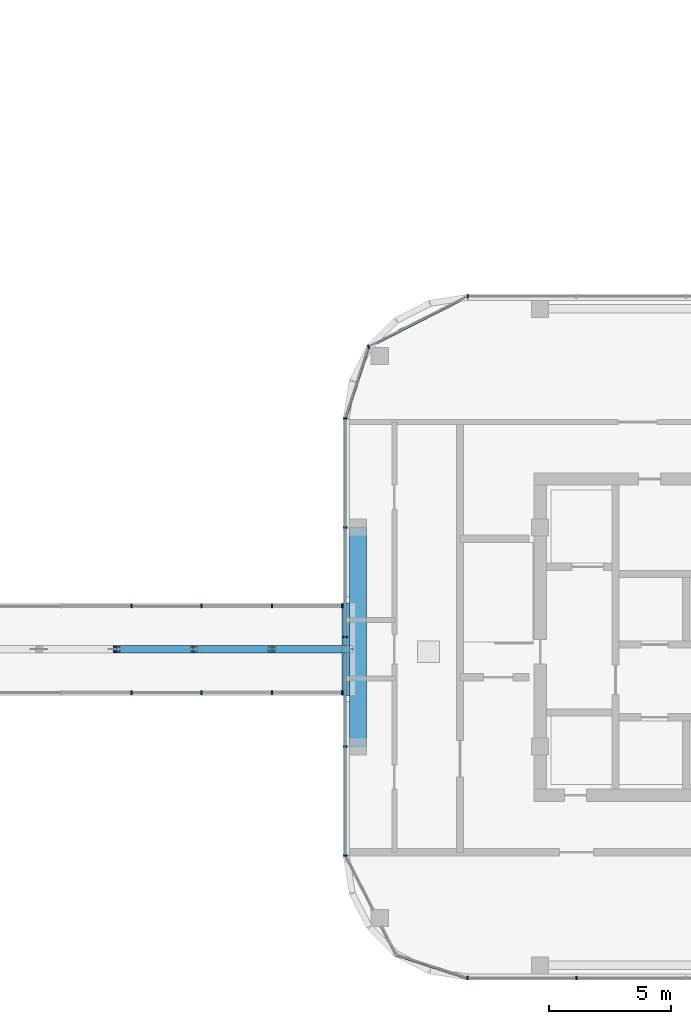
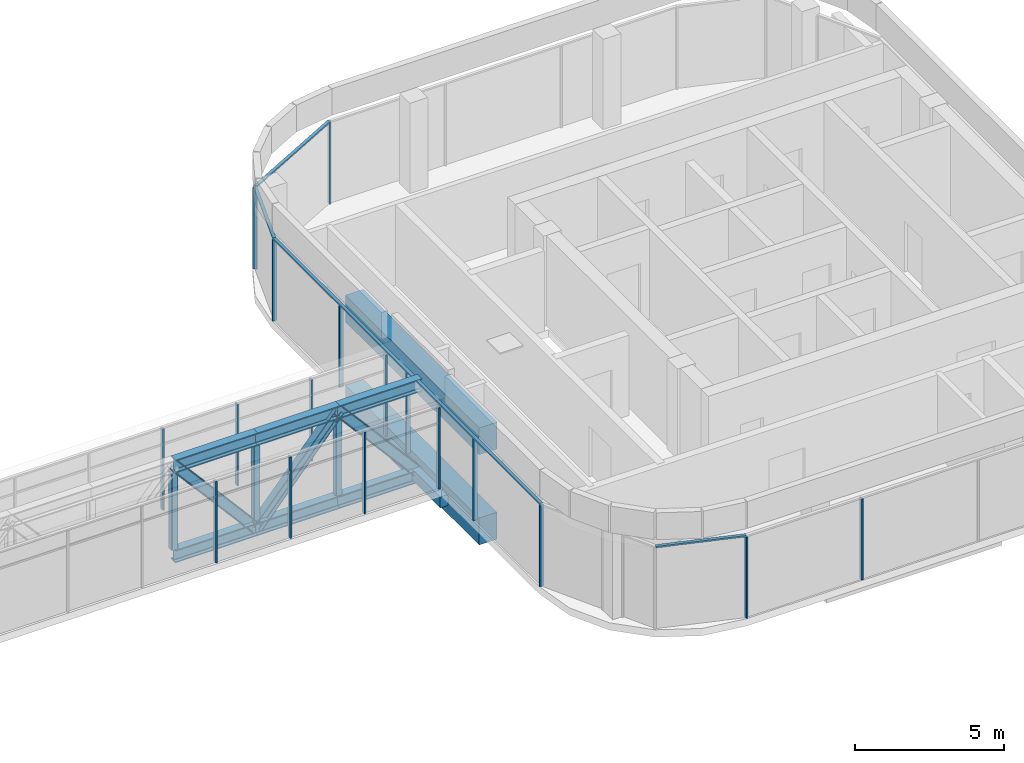
# One storey, part 8 of 33: 33 members, 3 beams, 7 elements without a shape of their own.
"""IFC4 building model written with IfcOpenShell, lengths in metres."""

from ifc_helpers import new_model, si_unit, direction, frame, origin, origin_2d, place, context, subcontext, project, spatial, rectangle, hollow_rectangle, i_section, extrude, material, material_profile, profile_set, type_object, element, aggregate, save


model = new_model("IFC4")

# Units and contexts
model_context = context("Model", 3, precision=1e-05, world=origin(), true_north=direction((0.0, 1.0)))
body_context = subcontext(model_context, "Body", "Model", "MODEL_VIEW")
ifc_project = project(units=[si_unit("LENGTHUNIT", "METRE"), si_unit("AREAUNIT", "SQUARE_METRE"), si_unit("VOLUMEUNIT", "CUBIC_METRE"), si_unit("PLANEANGLEUNIT", "RADIAN"), si_unit("MASSUNIT", "GRAM", prefix="KILO")], contexts=[model_context])

# Site, building, storey
site_placement = place(None, origin())
site = spatial("IfcSite", under=ifc_project, at=site_placement, CompositionType="ELEMENT")
building_placement = place(site_placement, origin())
building = spatial("IfcBuilding", under=site, at=building_placement, Name="Ogive Portal Towers", CompositionType="ELEMENT")
storey_placement = place(building_placement, frame((0.0, 0.0, 101.89990234375)))
storey = spatial("IfcBuildingStorey", under=building, at=storey_placement, Name="L24", CompositionType="ELEMENT", Elevation=101.89990234375)

# Members
ifc_material_1 = material(Name="Steel S355", Category="steel")
ifc_material_profile_1 = material_profile(ifc_material_1, i_section(OverallWidth=0.300048828125, OverallDepth=0.39990234375, WebThickness=0.013427734375, FlangeThickness=0.02392578125, FilletRadius=0.027099609375, at=origin_2d()), Name="HEB 400")
ifc_profile_set_1 = profile_set([ifc_material_profile_1], Name="Steel S355")
member_type_1 = type_object("IfcMemberType", Name="BRACE HEB 400", PredefinedType="BRACE", material=ifc_profile_set_1)
for number, where, z_axis, x_axis, name in (
    (1, (111.578125, 30.5, 3.13818359375), (0.653039451315, 0.0, -0.757323890437), (0.0, 1.0, 0.0), "Glass corridor truss diagonal"),
    (2, (114.768798828125, 30.5, -0.56201171875), (0.653039451315, 0.0, 0.757323890437), (0.0, 1.0, 0.0), "Glass corridor truss diagonal"),
):
    element("IfcMember", number, at=place(storey_placement, frame(where, z_axis=z_axis, x_axis=x_axis)), inside=storey, type_object=member_type_1, Name=name, PredefinedType="BRACE", context=body_context, shape_type="SweptSolid", body=[
        extrude(i_section(OverallWidth=0.300048828125, OverallDepth=0.39990234375, WebThickness=0.013427734375, FlangeThickness=0.02392578125, FilletRadius=0.027099609375, at=origin_2d()), origin(), (0.0, 0.0, 1.0), 4.885986328125),
    ])
member_1_placement = place(storey_placement, frame((117.95947265625, 30.5, 3.13818359375), z_axis=(0.653010790955, 0.0, -0.757348603284), x_axis=(0.0, 1.0, 0.0)))
element("IfcMember", 3, at=member_1_placement, inside=storey, type_object=member_type_1, Name="Glass corridor truss diagonal", PredefinedType="BRACE", context=body_context, shape_type="SweptSolid", body=[
    extrude(i_section(OverallWidth=0.300048828125, OverallDepth=0.39990234375, WebThickness=0.013427734375, FlangeThickness=0.02392578125, FilletRadius=0.027099609375, at=origin_2d()), origin(), (0.0, 0.0, 1.0), 4.8857421875),
])

# Beam
ifc_material_2 = material(Name="Concrete C40/50", Category="concrete")
ifc_material_profile_2 = material_profile(ifc_material_2, rectangle(XDim=0.300048828125, YDim=0.449951171875, at=origin_2d()), Name="RC 300x450")
ifc_profile_set_2 = profile_set([ifc_material_profile_2], Name="Concrete C40/50")
beam_type_1 = type_object("IfcBeamType", Name="BRIDGE END BEAM RC 300x450", PredefinedType="BEAM", material=ifc_profile_set_2)
beam_placement = place(storey_placement, frame((121.0, 28.60009765625, -0.52490234375), z_axis=(0.0, 1.0, 0.0), x_axis=(-1.0, 0.0, 0.0)))
element("IfcBeam", 4, at=beam_placement, inside=storey, type_object=beam_type_1, Name="Glass corridor end beam", PredefinedType="BEAM", context=body_context, shape_type="SweptSolid", body=[
    extrude(rectangle(XDim=0.300048828125, YDim=0.449951171875, at=origin_2d()), origin(), (0.0, 0.0, 1.0), 3.7998046875),
])

# Members
ifc_material_profile_3 = material_profile(ifc_material_1, i_section(OverallWidth=0.305908203125, OverallDepth=0.52392578125, WebThickness=0.02099609375, FlangeThickness=0.0400390625, FilletRadius=0.027099609375, at=origin_2d()), Name="HEM 500")
ifc_profile_set_3 = profile_set([ifc_material_profile_3], Name="Steel S355")
member_type_2 = type_object("IfcMemberType", Name="CHORD HEM 500", PredefinedType="CHORD", material=ifc_profile_set_3)
for number, where, z_axis, x_axis, name in (
    (5, (111.578125, 30.5, -0.56201171875), (1.0, 0.0, 0.0), (0.0, 1.0, 0.0), "Glass corridor truss bottom chord"),
    (6, (111.578125, 30.5, 3.13818359375), (1.0, 0.0, 0.0), (0.0, 1.0, 0.0), "Glass corridor truss top chord"),
    (7, (114.768798828125, 30.5, -0.56201171875), (1.0, 0.0, 0.0), (0.0, 1.0, 0.0), "Glass corridor truss bottom chord"),
    (8, (114.768798828125, 30.5, 3.13818359375), (1.0, 0.0, 0.0), (0.0, 1.0, 0.0), "Glass corridor truss top chord"),
):
    element("IfcMember", number, at=place(storey_placement, frame(where, z_axis=z_axis, x_axis=x_axis)), inside=storey, type_object=member_type_2, Name=name, PredefinedType="CHORD", context=body_context, shape_type="SweptSolid", body=[
        extrude(i_section(OverallWidth=0.305908203125, OverallDepth=0.52392578125, WebThickness=0.02099609375, FlangeThickness=0.0400390625, FilletRadius=0.027099609375, at=origin_2d()), origin(), (0.0, 0.0, 1.0), 3.190673828125),
    ])
for number, where, z_axis, x_axis, name in (
    (9, (117.95947265625, 30.5, -0.56201171875), (1.0, 0.0, 0.0), (0.0, 1.0, 0.0), "Glass corridor truss bottom chord"),
    (10, (117.95947265625, 30.5, 3.13818359375), (1.0, 0.0, 0.0), (0.0, 1.0, 0.0), "Glass corridor truss top chord"),
):
    element("IfcMember", number, at=place(storey_placement, frame(where, z_axis=z_axis, x_axis=x_axis)), inside=storey, type_object=member_type_2, Name=name, PredefinedType="CHORD", context=body_context, shape_type="SweptSolid", body=[
        extrude(i_section(OverallWidth=0.305908203125, OverallDepth=0.52392578125, WebThickness=0.02099609375, FlangeThickness=0.0400390625, FilletRadius=0.027099609375, at=origin_2d()), origin(), (0.0, 0.0, 1.0), 3.1904296875),
    ])

# Curtain wall, members
ifc_material_3 = material(Name="Glass, clear low-iron insulated glazing", Category="glass")
curtain_wall_type_1 = type_object("IfcCurtainWallType", Name="CW RESIDENCES RIBBON", PredefinedType="NOTDEFINED", material=ifc_material_3)
curtain_wall_1_placement = place(storey_placement, origin())
curtain_wall_1 = element("IfcCurtainWall", 11, at=curtain_wall_1_placement, inside=storey, type_object=curtain_wall_type_1, Name="B:L24:f02:cw0", PredefinedType="NOTDEFINED")
ifc_material_4 = material(Name="Aluminium 6063 anodised", Category="aluminium")
ifc_material_profile_4 = material_profile(ifc_material_4, rectangle(XDim=0.159912109375, YDim=0.06005859375, at=origin_2d()), Name="AL 60x160")
ifc_profile_set_4 = profile_set([ifc_material_profile_4], Name="Aluminium 6063 anodised")
member_type_3 = type_object("IfcMemberType", Name="CW MULLION 60x160", PredefinedType="MULLION", material=ifc_profile_set_4)
member_2_placement = place(storey_placement, frame((126.0126953125, 16.97998046875, 0.0), z_axis=(0.0, 0.0, 1.0), x_axis=(0.0, 1.0, 0.0)))
member_2 = element("IfcMember", 12, at=member_2_placement, type_object=member_type_3, Name="mullion", PredefinedType="MULLION", context=body_context, shape_type="SweptSolid", body=[
    extrude(rectangle(XDim=0.159912109375, YDim=0.06005859375, at=origin_2d()), origin(), (0.0, 0.0, 1.0), 3.340087890625),
])
member_3_placement = place(storey_placement, frame((130.5, 16.97998046875, 0.0), z_axis=(0.0, 0.0, 1.0), x_axis=(0.0, 1.0, 0.0)))
member_3 = element("IfcMember", 13, at=member_3_placement, type_object=member_type_3, Name="mullion", PredefinedType="MULLION", context=body_context, shape_type="SweptSolid", body=[
    extrude(rectangle(XDim=0.159912109375, YDim=0.06005859375, at=origin_2d()), origin(), (0.0, 0.0, 1.0), 3.340087890625),
])
aggregate(curtain_wall_1, [member_2, member_3])

# Curtain wall, member
curtain_wall_2_placement = place(storey_placement, origin())
curtain_wall_2 = element("IfcCurtainWall", 14, at=curtain_wall_2_placement, inside=storey, type_object=curtain_wall_type_1, Name="B:L24:f08:cw0", PredefinedType="NOTDEFINED")
member_4_placement = place(storey_placement, frame((126.019287109375, 45.02001953125, 0.0), z_axis=(0.0, 0.0, 1.0), x_axis=(0.0, -1.0, 0.0)))
member_4 = element("IfcMember", 15, at=member_4_placement, type_object=member_type_3, Name="mullion", PredefinedType="MULLION", context=body_context, shape_type="SweptSolid", body=[
    extrude(rectangle(XDim=0.159912109375, YDim=0.06005859375, at=origin_2d()), origin(), (0.0, 0.0, 1.0), 3.340087890625),
])
aggregate(curtain_wall_2, [member_4])

# Curtain wall, members
curtain_wall_3_placement = place(storey_placement, origin())
curtain_wall_3 = element("IfcCurtainWall", 16, at=curtain_wall_3_placement, inside=storey, type_object=curtain_wall_type_1, Name="B:L24:f11:cw0", PredefinedType="NOTDEFINED")
member_5_placement = place(storey_placement, frame((120.97998046875, 39.9873046875, 0.0), z_axis=(0.0, 0.0, 1.0), x_axis=(1.0, 0.0, 0.0)))
member_5 = element("IfcMember", 17, at=member_5_placement, type_object=member_type_3, Name="mullion", PredefinedType="MULLION", context=body_context, shape_type="SweptSolid", body=[
    extrude(rectangle(XDim=0.159912109375, YDim=0.06005859375, at=origin_2d()), origin(), (0.0, 0.0, 1.0), 3.340087890625),
])
member_6_placement = place(storey_placement, frame((120.97998046875, 35.5, 0.0), z_axis=(0.0, 0.0, 1.0), x_axis=(1.0, 0.0, 0.0)))
member_6 = element("IfcMember", 18, at=member_6_placement, type_object=member_type_3, Name="mullion", PredefinedType="MULLION", context=body_context, shape_type="SweptSolid", body=[
    extrude(rectangle(XDim=0.159912109375, YDim=0.06005859375, at=origin_2d()), origin(), (0.0, 0.0, 1.0), 3.340087890625),
])
member_7_placement = place(storey_placement, frame((120.97998046875, 31.0, 0.0), z_axis=(0.0, 0.0, 1.0), x_axis=(1.0, 0.0, 0.0)))
member_7 = element("IfcMember", 19, at=member_7_placement, type_object=member_type_3, Name="mullion", PredefinedType="MULLION", context=body_context, shape_type="SweptSolid", body=[
    extrude(rectangle(XDim=0.159912109375, YDim=0.06005859375, at=origin_2d()), origin(), (0.0, 0.0, 1.0), 3.340087890625),
])
member_8_placement = place(storey_placement, frame((120.97998046875, 26.5, 0.0), z_axis=(0.0, 0.0, 1.0), x_axis=(1.0, 0.0, 0.0)))
member_8 = element("IfcMember", 20, at=member_8_placement, type_object=member_type_3, Name="mullion", PredefinedType="MULLION", context=body_context, shape_type="SweptSolid", body=[
    extrude(rectangle(XDim=0.159912109375, YDim=0.06005859375, at=origin_2d()), origin(), (0.0, 0.0, 1.0), 3.340087890625),
])
member_9_placement = place(storey_placement, frame((120.97998046875, 22.019287109375, 0.0), z_axis=(0.0, 0.0, 1.0), x_axis=(1.0, 0.0, 0.0)))
member_9 = element("IfcMember", 21, at=member_9_placement, type_object=member_type_3, Name="mullion", PredefinedType="MULLION", context=body_context, shape_type="SweptSolid", body=[
    extrude(rectangle(XDim=0.159912109375, YDim=0.06005859375, at=origin_2d()), origin(), (0.0, 0.0, 1.0), 3.340087890625),
])

# Curtain wall, member
curtain_wall_4_placement = place(storey_placement, origin())
curtain_wall_4 = element("IfcCurtainWall", 22, at=curtain_wall_4_placement, inside=storey, type_object=curtain_wall_type_1, Name="B:L24:f09:cwa", PredefinedType="NOTDEFINED")
member_10_placement = place(storey_placement, frame((121.93994140625, 42.94140625, 0.0), z_axis=(0.0, 0.0, 1.0), x_axis=(0.45399049974, -0.891006524188, 0.0)))
member_10 = element("IfcMember", 23, at=member_10_placement, type_object=member_type_3, Name="mullion", PredefinedType="MULLION", context=body_context, shape_type="SweptSolid", body=[
    extrude(rectangle(XDim=0.159912109375, YDim=0.06005859375, at=origin_2d()), origin(), (0.0, 0.0, 1.0), 3.340087890625),
])

# Curtain wall, members
curtain_wall_type_2 = type_object("IfcCurtainWallType", Name="CW GLASS CORRIDOR", PredefinedType="NOTDEFINED", material=ifc_material_3)
curtain_wall_5_placement = place(storey_placement, origin())
curtain_wall_5 = element("IfcCurtainWall", 24, at=curtain_wall_5_placement, inside=storey, type_object=curtain_wall_type_2, Name="A:L24:glasscorr:s", PredefinedType="NOTDEFINED")
member_11_placement = place(storey_placement, frame((112.18994140625, 28.719970703125, 0.0), z_axis=(0.0, 0.0, 1.0), x_axis=(0.0, 1.0, 0.0)))
member_11 = element("IfcMember", 25, at=member_11_placement, type_object=member_type_3, Name="mullion", PredefinedType="MULLION", context=body_context, shape_type="SweptSolid", body=[
    extrude(rectangle(XDim=0.159912109375, YDim=0.06005859375, at=origin_2d()), origin(), (0.0, 0.0, 1.0), 3.340087890625),
])
member_12_placement = place(storey_placement, frame((115.07666015625, 28.719970703125, 0.0), z_axis=(0.0, 0.0, 1.0), x_axis=(0.0, 1.0, 0.0)))
member_12 = element("IfcMember", 26, at=member_12_placement, type_object=member_type_3, Name="mullion", PredefinedType="MULLION", context=body_context, shape_type="SweptSolid", body=[
    extrude(rectangle(XDim=0.159912109375, YDim=0.06005859375, at=origin_2d()), origin(), (0.0, 0.0, 1.0), 3.340087890625),
])
member_13_placement = place(storey_placement, frame((117.96337890625, 28.719970703125, 0.0), z_axis=(0.0, 0.0, 1.0), x_axis=(0.0, 1.0, 0.0)))
member_13 = element("IfcMember", 27, at=member_13_placement, type_object=member_type_3, Name="mullion", PredefinedType="MULLION", context=body_context, shape_type="SweptSolid", body=[
    extrude(rectangle(XDim=0.159912109375, YDim=0.06005859375, at=origin_2d()), origin(), (0.0, 0.0, 1.0), 3.340087890625),
])
member_14_placement = place(storey_placement, frame((120.85009765625, 28.719970703125, 0.0), z_axis=(0.0, 0.0, 1.0), x_axis=(0.0, 1.0, 0.0)))
member_14 = element("IfcMember", 28, at=member_14_placement, type_object=member_type_3, Name="mullion", PredefinedType="MULLION", context=body_context, shape_type="SweptSolid", body=[
    extrude(rectangle(XDim=0.159912109375, YDim=0.06005859375, at=origin_2d()), origin(), (0.0, 0.0, 1.0), 3.340087890625),
])
aggregate(curtain_wall_5, [member_11, member_12, member_13, member_14])

curtain_wall_6_placement = place(storey_placement, origin())
curtain_wall_6 = element("IfcCurtainWall", 29, at=curtain_wall_6_placement, inside=storey, type_object=curtain_wall_type_2, Name="A:L24:glasscorr:n", PredefinedType="NOTDEFINED")
member_15_placement = place(storey_placement, frame((112.18994140625, 32.280029296875, 0.0), z_axis=(0.0, 0.0, 1.0), x_axis=(0.0, 1.0, 0.0)))
member_15 = element("IfcMember", 30, at=member_15_placement, type_object=member_type_3, Name="mullion", PredefinedType="MULLION", context=body_context, shape_type="SweptSolid", body=[
    extrude(rectangle(XDim=0.159912109375, YDim=0.06005859375, at=origin_2d()), origin(), (0.0, 0.0, 1.0), 3.340087890625),
])
member_16_placement = place(storey_placement, frame((115.07666015625, 32.280029296875, 0.0), z_axis=(0.0, 0.0, 1.0), x_axis=(0.0, 1.0, 0.0)))
member_16 = element("IfcMember", 31, at=member_16_placement, type_object=member_type_3, Name="mullion", PredefinedType="MULLION", context=body_context, shape_type="SweptSolid", body=[
    extrude(rectangle(XDim=0.159912109375, YDim=0.06005859375, at=origin_2d()), origin(), (0.0, 0.0, 1.0), 3.340087890625),
])
member_17_placement = place(storey_placement, frame((117.96337890625, 32.280029296875, 0.0), z_axis=(0.0, 0.0, 1.0), x_axis=(0.0, 1.0, 0.0)))
member_17 = element("IfcMember", 32, at=member_17_placement, type_object=member_type_3, Name="mullion", PredefinedType="MULLION", context=body_context, shape_type="SweptSolid", body=[
    extrude(rectangle(XDim=0.159912109375, YDim=0.06005859375, at=origin_2d()), origin(), (0.0, 0.0, 1.0), 3.340087890625),
])
member_18_placement = place(storey_placement, frame((120.85009765625, 32.280029296875, 0.0), z_axis=(0.0, 0.0, 1.0), x_axis=(0.0, 1.0, 0.0)))
member_18 = element("IfcMember", 33, at=member_18_placement, type_object=member_type_3, Name="mullion", PredefinedType="MULLION", context=body_context, shape_type="SweptSolid", body=[
    extrude(rectangle(XDim=0.159912109375, YDim=0.06005859375, at=origin_2d()), origin(), (0.0, 0.0, 1.0), 3.340087890625),
])
aggregate(curtain_wall_6, [member_15, member_16, member_17, member_18])

# Member
ifc_material_profile_5 = material_profile(ifc_material_4, rectangle(XDim=0.1201171875, YDim=0.06005859375, at=origin_2d()), Name="AL 120x60")
ifc_profile_set_5 = profile_set([ifc_material_profile_5], Name="Aluminium 6063 anodised")
member_type_4 = type_object("IfcMemberType", Name="CW TRANSOM 60x120", PredefinedType="USERDEFINED", material=ifc_profile_set_5)
member_19_placement = place(storey_placement, frame((120.97998046875, 39.9873046875, 3.3701171875), z_axis=(0.0, -1.0, 0.0), x_axis=(1.0, 0.0, 0.0)))
member_19 = element("IfcMember", 34, at=member_19_placement, type_object=member_type_4, Name="transom", ObjectType="TRANSOM", PredefinedType="USERDEFINED", context=body_context, shape_type="SweptSolid", body=[
    extrude(rectangle(XDim=0.1201171875, YDim=0.06005859375, at=origin_2d()), origin(), (0.0, 0.0, 1.0), 17.968017578125),
])

aggregate(curtain_wall_3, [member_19, member_5, member_6, member_7, member_8, member_9])

# Curtain wall, member
curtain_wall_7_placement = place(storey_placement, origin())
curtain_wall_7 = element("IfcCurtainWall", 35, at=curtain_wall_7_placement, inside=storey, type_object=curtain_wall_type_1, Name="B:L24:f00:cwa~1", PredefinedType="NOTDEFINED")
member_20_placement = place(storey_placement, frame((123.05859375, 17.93994140625, 3.3701171875), z_axis=(0.951045620181, -0.309050527153, 0.0), x_axis=(0.309050527153, 0.951045620181, 0.0)))
member_20 = element("IfcMember", 36, at=member_20_placement, type_object=member_type_4, Name="transom", ObjectType="TRANSOM", PredefinedType="USERDEFINED", context=body_context, shape_type="SweptSolid", body=[
    extrude(rectangle(XDim=0.1201171875, YDim=0.06005859375, at=origin_2d()), origin(), (0.0, 0.0, 1.0), 3.106201171875),
])
aggregate(curtain_wall_7, [member_20])

# Member
member_21_placement = place(storey_placement, frame((126.019287109375, 45.02001953125, 3.3701171875), z_axis=(-0.890999206066, -0.454004862077, 0.0), x_axis=(0.454004862077, -0.890999206066, 0.0)))
member_21 = element("IfcMember", 37, at=member_21_placement, type_object=member_type_4, Name="transom", ObjectType="TRANSOM", PredefinedType="USERDEFINED", context=body_context, shape_type="SweptSolid", body=[
    extrude(rectangle(XDim=0.1201171875, YDim=0.06005859375, at=origin_2d()), origin(), (0.0, 0.0, 1.0), 4.578369140625),
])

member_22_placement = place(storey_placement, frame((121.93994140625, 42.94140625, 3.3701171875), z_axis=(-0.309050527153, -0.951045620181, 0.0), x_axis=(0.951045620181, -0.309050527153, 0.0)))
member_22 = element("IfcMember", 38, at=member_22_placement, type_object=member_type_4, Name="transom", ObjectType="TRANSOM", PredefinedType="USERDEFINED", context=body_context, shape_type="SweptSolid", body=[
    extrude(rectangle(XDim=0.1201171875, YDim=0.06005859375, at=origin_2d()), origin(), (0.0, 0.0, 1.0), 3.106201171875),
])

aggregate(curtain_wall_4, [member_21, member_22, member_10])

# Beams
ifc_material_5 = material(Name="Concrete C50/60", Category="concrete")
ifc_material_profile_6 = material_profile(ifc_material_5, rectangle(XDim=0.699951171875, YDim=1.10009765625, at=origin_2d()), Name="RC 700x1100")
ifc_profile_set_6 = profile_set([ifc_material_profile_6], Name="Concrete C50/60")
beam_type_2 = type_object("IfcBeamType", Name="EDGE BEAM RC 700x1100", PredefinedType="BEAM", material=ifc_profile_set_6)
for number, where, z_axis, x_axis, name in (
    (39, (121.5, 26.5, -0.5498046875), (0.0, 1.0, 0.0), (-1.0, 0.0, 0.0), "Glass corridor landing beam B"),
    (40, (121.5, 26.5, 3.150146484375), (0.0, 1.0, 0.0), (-1.0, 0.0, 0.0), "Glass corridor roof beam B"),
):
    element("IfcBeam", number, at=place(storey_placement, frame(where, z_axis=z_axis, x_axis=x_axis)), inside=storey, type_object=beam_type_2, Name=name, PredefinedType="BEAM", context=body_context, shape_type="SweptSolid", body=[
        extrude(rectangle(XDim=0.699951171875, YDim=1.10009765625, at=origin_2d()), origin(), (0.0, 0.0, 1.0), 9.0),
    ])

# Members
ifc_material_profile_7 = material_profile(ifc_material_1, hollow_rectangle(XDim=0.25, YDim=0.25, WallThickness=0.01611328125, InnerFilletRadius=0.02392578125, OuterFilletRadius=0.0400390625, at=origin_2d()), Name="SHS 250x250x16")
ifc_profile_set_7 = profile_set([ifc_material_profile_7], Name="Steel S355")
member_type_5 = type_object("IfcMemberType", Name="POST SHS 250x250x16", PredefinedType="POST", material=ifc_profile_set_7)
for number, where, z_axis, x_axis, name in (
    (41, (111.578125, 30.5, -0.2998046875), (0.0, 0.0, 1.0), (1.0, 0.0, 0.0), "Glass corridor truss post"),
    (42, (114.768798828125, 30.5, -0.2998046875), (0.0, 0.0, 1.0), (1.0, 0.0, 0.0), "Glass corridor truss post"),
    (43, (117.95947265625, 30.5, -0.2998046875), (0.0, 0.0, 1.0), (1.0, 0.0, 0.0), "Glass corridor truss post"),
):
    element("IfcMember", number, at=place(storey_placement, frame(where, z_axis=z_axis, x_axis=x_axis)), inside=storey, type_object=member_type_5, Name=name, PredefinedType="POST", context=body_context, shape_type="SweptSolid", body=[
        extrude(hollow_rectangle(XDim=0.25, YDim=0.25, WallThickness=0.01611328125, InnerFilletRadius=0.02392578125, OuterFilletRadius=0.0400390625, at=origin_2d()), origin(), (0.0, 0.0, 1.0), 3.17578125),
    ])

save(model, "model.ifc")
